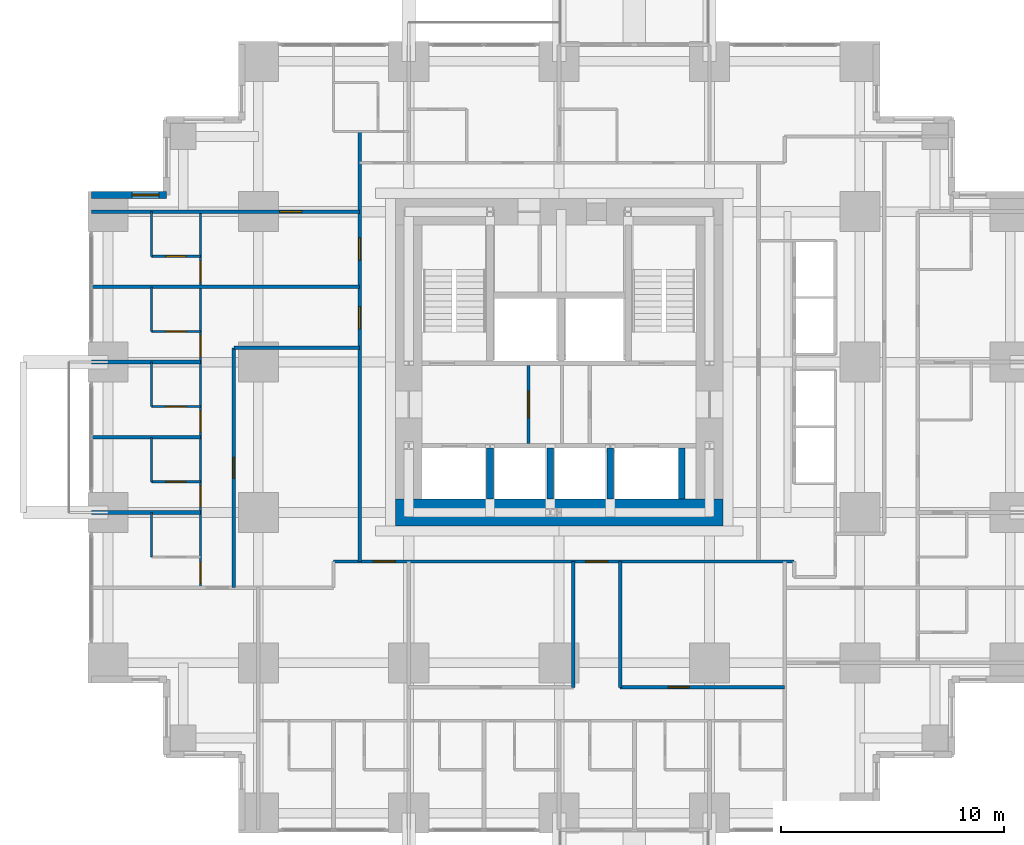
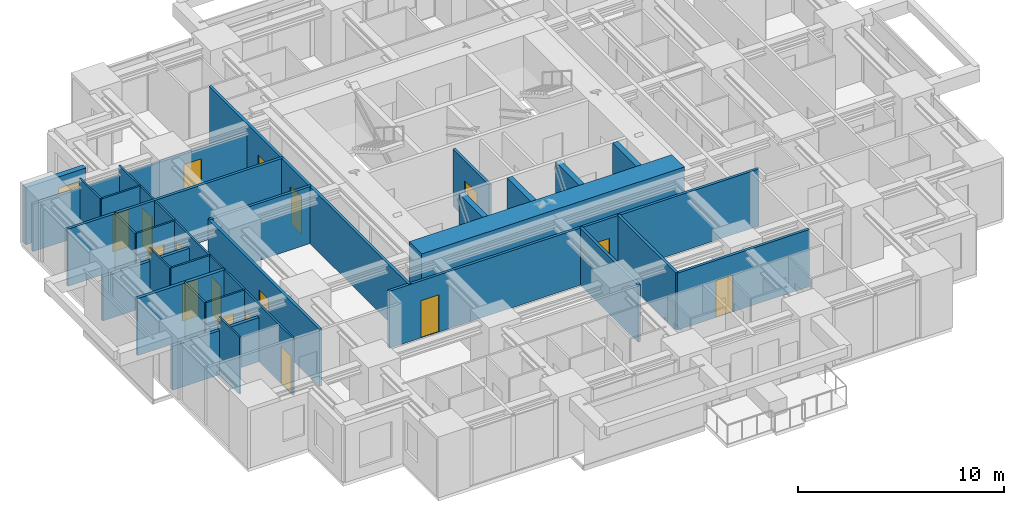
# One storey, part 8 of 13: 29 walls, 17 doors, 1 window, 18 openings.
"""IFC4 building model written with IfcOpenShell, lengths in metres."""

from ifc_helpers import new_model, si_unit, direction, frame, frame_2d, origin, place, context, subcontext, project, spatial, rectangle, extrude, material, layer, layer_set, type_object, element, fill, save


model = new_model("IFC4")

# Units and contexts
model_context = context("Model", 3, precision=1e-05, world=origin(), true_north=direction((0.0, 1.0)))
body_context = subcontext(model_context, "Body", "Model", "MODEL_VIEW")
ifc_project = project(units=[si_unit("LENGTHUNIT", "METRE"), si_unit("AREAUNIT", "SQUARE_METRE"), si_unit("VOLUMEUNIT", "CUBIC_METRE"), si_unit("PLANEANGLEUNIT", "RADIAN"), si_unit("MASSUNIT", "GRAM", prefix="KILO")], contexts=[model_context])

# Site, building, storey
site_placement = place(None, origin())
site = spatial("IfcSite", under=ifc_project, at=site_placement, CompositionType="ELEMENT")
building_placement = place(site_placement, origin())
building = spatial("IfcBuilding", under=site, at=building_placement, Name="Nyansa Garden Tower", CompositionType="ELEMENT")
storey_placement = place(building_placement, frame((0.0, 0.0, 105.300048828125)))
storey = spatial("IfcBuildingStorey", under=building, at=storey_placement, Name="L28", CompositionType="ELEMENT", Elevation=105.300048828125)

# Walls
ifc_material_1 = material(Name="Dense blockwork, plastered both sides, 55 dB", Category="masonry")
ifc_layer_1 = layer(ifc_material_1, 0.175048828125)
ifc_layer_set_1 = layer_set([ifc_layer_1], Name="Acoustic party wall PW175")
wall_type_1 = type_object("IfcWallType", Name="Acoustic party wall PW175", PredefinedType="PARTITIONING", material=ifc_layer_set_1)
wall_1_placement = place(storey_placement, frame((-0.73388671875, 13.5, 0.0), z_axis=(0.0, 0.0, 1.0), x_axis=(1.0, 0.0, 0.0)))
element("IfcWall", 1, at=wall_1_placement, inside=storey, type_object=wall_type_1, Name="Party wall", PredefinedType="PARTITIONING", context=body_context, shape_type="SweptSolid", body=[
    extrude(rectangle(XDim=4.8837890625, YDim=0.175048828125, at=frame_2d((2.44189453125, 0.0))), origin(), (0.0, 0.0, 1.0), 2.60986328125),
])
wall_2_placement = place(storey_placement, frame((-0.73388671875, 16.875, 0.0), z_axis=(0.0, 0.0, 1.0), x_axis=(1.0, 0.0, 0.0)))
element("IfcWall", 2, at=wall_2_placement, inside=storey, type_object=wall_type_1, Name="Party wall", PredefinedType="PARTITIONING", context=body_context, shape_type="SweptSolid", body=[
    extrude(rectangle(XDim=4.8837890625, YDim=0.175048828125, at=frame_2d((2.44189453125, 0.0))), origin(), (0.0, 0.0, 1.0), 3.375),
])
wall_3_placement = place(storey_placement, frame((-0.73388671875, 20.25, 0.0), z_axis=(0.0, 0.0, 1.0), x_axis=(1.0, 0.0, 0.0)))
element("IfcWall", 3, at=wall_3_placement, inside=storey, type_object=wall_type_1, Name="Party wall", PredefinedType="PARTITIONING", context=body_context, shape_type="SweptSolid", body=[
    extrude(rectangle(XDim=4.8837890625, YDim=0.175048828125, at=frame_2d((2.44189453125, 0.0))), origin(), (0.0, 0.0, 1.0), 2.60986328125),
])
ifc_material_2 = material(Name="Concrete C70/85", Category="concrete")
ifc_layer_2 = layer(ifc_material_2, 0.300048828125)
ifc_layer_set_2 = layer_set([ifc_layer_2], Name="Core inner wall CI300")
wall_type_2 = type_object("IfcWallType", Name="Core inner wall CI300", PredefinedType="SHEAR", material=ifc_layer_set_2)
for number, where, z_axis, x_axis, name in (
    (4, (17.14990234375, 14.10009765625, 0.0), (0.0, 0.0, 1.0), (0.0, 1.0, 0.0), "Core inner wall L28"),
    (5, (19.85009765625, 14.10009765625, 0.0), (0.0, 0.0, 1.0), (0.0, 1.0, 0.0), "Core inner wall L28"),
    (6, (22.550048828125, 14.10009765625, 0.0), (0.0, 0.0, 1.0), (0.0, 1.0, 0.0), "Core inner wall L28"),
    (7, (25.75, 14.10009765625, 0.0), (0.0, 0.0, 1.0), (0.0, 1.0, 0.0), "Core inner wall L28"),
):
    element("IfcWall", number, at=place(storey_placement, frame(where, z_axis=z_axis, x_axis=x_axis)), inside=storey, type_object=wall_type_2, Name=name, PredefinedType="SHEAR", context=body_context, shape_type="SweptSolid", body=[
        extrude(rectangle(XDim=2.2998046875, YDim=0.300048828125, at=frame_2d((1.14990234375, 0.0))), origin(), (0.0, 0.0, 1.0), 3.599853515625),
    ])
ifc_material_3 = material(Name="Concrete C80/95", Category="concrete")
ifc_layer_3 = layer(ifc_material_3, 1.199951171875)
ifc_layer_set_3 = layer_set([ifc_layer_3], Name="Core wall CW1200")
wall_type_3 = type_object("IfcWallType", Name="Core wall CW1200", PredefinedType="SHEAR", material=ifc_layer_set_3)
wall_4_placement = place(storey_placement, frame((12.89990234375, 13.5, 0.0), z_axis=(0.0, 0.0, 1.0), x_axis=(1.0, 0.0, 0.0)))
element("IfcWall", 8, at=wall_4_placement, inside=storey, type_object=wall_type_3, Name="Core wall S L28", PredefinedType="SHEAR", context=body_context, shape_type="SweptSolid", body=[
    extrude(rectangle(XDim=14.7001953125, YDim=1.199951171875, at=frame_2d((7.35009765625, 0.0))), origin(), (0.0, 0.0, 1.0), 3.599853515625),
])

# Wall, opening, door
ifc_material_4 = material(Name="Blockwork, plastered both sides", Category="masonry")
ifc_layer_4 = layer(ifc_material_4, 0.14990234375)
ifc_layer_set_4 = layer_set([ifc_layer_4], Name="Partition PW150")
wall_type_4 = type_object("IfcWallType", Name="Partition PW150", PredefinedType="PARTITIONING", material=ifc_layer_set_4)
wall_5_placement = place(storey_placement, frame((18.875, 16.60009765625, 0.0), z_axis=(0.0, 0.0, 1.0), x_axis=(0.0, 1.0, 0.0)))
wall_5 = element("IfcWall", 9, at=wall_5_placement, inside=storey, type_object=wall_type_4, Name="Partition", PredefinedType="PARTITIONING", context=body_context, shape_type="SweptSolid", body=[
    extrude(rectangle(XDim=3.5, YDim=0.14990234375, at=frame_2d((1.75, 0.0))), origin(), (0.0, 0.0, 1.0), 3.375),
])
opening_1_placement = place(wall_5_placement, frame((1.14990234375, 0.0, 0.0)))
opening_1 = element("IfcOpeningElement", 10, at=opening_1_placement, cuts=wall_5, Name="Opening D06", PredefinedType="OPENING", context=body_context, shape_type="SweptSolid", body=[
    extrude(rectangle(XDim=1.199951171875, YDim=2.199951171875, at=frame_2d((0.60009765625, 1.10009765625))), frame((0.0, 0.0849609375, 0.0), z_axis=(0.0, -1.0, 0.0), x_axis=(1.0, 0.0, 0.0)), (0.0, 0.0, 1.0), 0.169921875),
])
ifc_material_5 = material(Name="Steel door, 120 minute fire resisting", Category="steel")
door_type_1 = type_object("IfcDoorType", Name="Lobby door D06 1200x2200", OperationType="DOUBLE_DOOR_SINGLE_SWING", PredefinedType="DOOR", material=ifc_material_5)
door_1_placement = place(opening_1_placement, origin())
door_1 = element("IfcDoor", 11, at=door_1_placement, inside=storey, type_object=door_type_1, Name="Passenger lift lobby door", OperationType="DOUBLE_DOOR_SINGLE_SWING", OverallHeight=2.199951171875, OverallWidth=1.199951171875, PredefinedType="DOOR", context=body_context, shape_type="SweptSolid", body=[
    extrude(rectangle(XDim=1.199951171875, YDim=2.199951171875, at=frame_2d((0.60009765625, 1.10009765625))), frame((0.0, 0.02490234375, 0.0), z_axis=(0.0, -1.0, 0.0), x_axis=(1.0, 0.0, 0.0)), (0.0, 0.0, 1.0), 0.050048828125),
])
fill(opening_1, door_1)

# Wall
wall_6_placement = place(storey_placement, frame((-0.73388671875, 23.625, 0.0), z_axis=(0.0, 0.0, 1.0), x_axis=(1.0, 0.0, 0.0)))
element("IfcWall", 12, at=wall_6_placement, inside=storey, type_object=wall_type_4, Name="Partition", PredefinedType="PARTITIONING", context=body_context, shape_type="SweptSolid", body=[
    extrude(rectangle(XDim=12.033935546875, YDim=0.14990234375, at=frame_2d((6.01708984375, 0.0))), origin(), (0.0, 0.0, 1.0), 3.375),
])

# Wall, opening, door
wall_7_placement = place(storey_placement, frame((-0.73388671875, 27.0, 0.0), z_axis=(0.0, 0.0, 1.0), x_axis=(1.0, 0.0, 0.0)))
wall_7 = element("IfcWall", 13, at=wall_7_placement, inside=storey, type_object=wall_type_4, Name="Partition", PredefinedType="PARTITIONING", context=body_context, shape_type="SweptSolid", body=[
    extrude(rectangle(XDim=12.033935546875, YDim=0.14990234375, at=frame_2d((6.01708984375, 0.0))), origin(), (0.0, 0.0, 1.0), 2.805908203125),
])
opening_2_placement = place(wall_7_placement, frame((8.43408203125, 0.0, 0.0)))
opening_2 = element("IfcOpeningElement", 14, at=opening_2_placement, cuts=wall_7, Name="Opening D03", PredefinedType="OPENING", context=body_context, shape_type="SweptSolid", body=[
    extrude(rectangle(XDim=1.0, YDim=2.199951171875, at=frame_2d((0.5, 1.10009765625))), frame((0.0, 0.0849609375, 0.0), z_axis=(0.0, -1.0, 0.0), x_axis=(1.0, 0.0, 0.0)), (0.0, 0.0, 1.0), 0.169921875),
])
ifc_material_6 = material(Name="Timber flush door, 60 minute fire resisting", Category="wood")
door_type_2 = type_object("IfcDoorType", Name="Cluster entrance door D03 1000x2200", OperationType="SINGLE_SWING_LEFT", PredefinedType="DOOR", material=ifc_material_6)
door_2_placement = place(opening_2_placement, origin())
door_2 = element("IfcDoor", 15, at=door_2_placement, inside=storey, type_object=door_type_2, Name="Door L28-056", OperationType="SINGLE_SWING_LEFT", OverallHeight=2.199951171875, OverallWidth=1.0, PredefinedType="DOOR", context=body_context, shape_type="SweptSolid", body=[
    extrude(rectangle(XDim=1.0, YDim=2.199951171875, at=frame_2d((0.5, 1.10009765625))), frame((0.0, 0.02490234375, 0.0), z_axis=(0.0, -1.0, 0.0), x_axis=(1.0, 0.0, 0.0)), (0.0, 0.0, 1.0), 0.050048828125),
])
fill(opening_2, door_2)

wall_8_placement = place(storey_placement, frame((5.64990234375, 10.125, 0.0), z_axis=(0.0, 0.0, 1.0), x_axis=(0.0, 1.0, 0.0)))
wall_8 = element("IfcWall", 16, at=wall_8_placement, inside=storey, type_object=wall_type_4, Name="Partition", PredefinedType="PARTITIONING", context=body_context, shape_type="SweptSolid", body=[
    extrude(rectangle(XDim=10.762451171875, YDim=0.14990234375, at=frame_2d((5.38134765625, 0.0))), origin(), (0.0, 0.0, 1.0), 3.375),
])
opening_3_placement = place(wall_8_placement, frame((4.89990234375, 0.0, 0.0)))
opening_3 = element("IfcOpeningElement", 17, at=opening_3_placement, cuts=wall_8, Name="Opening D01", PredefinedType="OPENING", context=body_context, shape_type="SweptSolid", body=[
    extrude(rectangle(XDim=0.949951171875, YDim=2.199951171875, at=frame_2d((0.47509765625, 1.10009765625))), frame((0.0, 0.0849609375, 0.0), z_axis=(0.0, -1.0, 0.0), x_axis=(1.0, 0.0, 0.0)), (0.0, 0.0, 1.0), 0.169921875),
])
ifc_material_7 = material(Name="Timber flush door, 30 minute fire resisting", Category="wood")
door_type_3 = type_object("IfcDoorType", Name="Bedroom door D01 950x2200", OperationType="SINGLE_SWING_LEFT", PredefinedType="DOOR", material=ifc_material_7)
door_3_placement = place(opening_3_placement, origin())
door_3 = element("IfcDoor", 18, at=door_3_placement, inside=storey, type_object=door_type_3, Name="Door L28-069", OperationType="SINGLE_SWING_LEFT", OverallHeight=2.199951171875, OverallWidth=0.949951171875, PredefinedType="DOOR", context=body_context, shape_type="SweptSolid", body=[
    extrude(rectangle(XDim=0.949951171875, YDim=2.199951171875, at=frame_2d((0.47509765625, 1.10009765625))), frame((0.0, 0.02490234375, 0.0), z_axis=(0.0, -1.0, 0.0), x_axis=(1.0, 0.0, 0.0)), (0.0, 0.0, 1.0), 0.050048828125),
])
fill(opening_3, door_3)

# Wall
wall_9_placement = place(storey_placement, frame((5.64990234375, 20.886962890625, 0.0), z_axis=(0.0, 0.0, 1.0), x_axis=(1.0, 0.0, 0.0)))
element("IfcWall", 19, at=wall_9_placement, inside=storey, type_object=wall_type_4, Name="Partition", PredefinedType="PARTITIONING", context=body_context, shape_type="SweptSolid", body=[
    extrude(rectangle(XDim=5.650146484375, YDim=0.14990234375, at=frame_2d((2.8251953125, 0.0))), origin(), (0.0, 0.0, 1.0), 3.375),
])

# Wall, openings, doors
wall_10_placement = place(storey_placement, frame((10.125, 11.300048828125, 0.0), z_axis=(0.0, 0.0, 1.0), x_axis=(1.0, 0.0, 0.0)))
wall_10 = element("IfcWall", 20, at=wall_10_placement, inside=storey, type_object=wall_type_4, Name="Partition", PredefinedType="PARTITIONING", context=body_context, shape_type="SweptSolid", body=[
    extrude(rectangle(XDim=20.675048828125, YDim=0.14990234375, at=frame_2d((10.33740234375, 0.0))), origin(), (0.0, 0.0, 1.0), 3.375),
])
opening_4_placement = place(wall_10_placement, frame((1.77490234375, 0.0, 0.0)))
opening_4 = element("IfcOpeningElement", 21, at=opening_4_placement, cuts=wall_10, Name="Opening D03", PredefinedType="OPENING", context=body_context, shape_type="SweptSolid", body=[
    extrude(rectangle(XDim=1.0, YDim=2.199951171875, at=frame_2d((0.5, 1.10009765625))), frame((0.0, 0.0849609375, 0.0), z_axis=(0.0, -1.0, 0.0), x_axis=(1.0, 0.0, 0.0)), (0.0, 0.0, 1.0), 0.169921875),
])
opening_5_placement = place(wall_10_placement, frame((11.3125, 0.0, 0.0)))
opening_5 = element("IfcOpeningElement", 22, at=opening_5_placement, cuts=wall_10, Name="Opening D03", PredefinedType="OPENING", context=body_context, shape_type="SweptSolid", body=[
    extrude(rectangle(XDim=1.0, YDim=2.199951171875, at=frame_2d((0.5, 1.10009765625))), frame((0.0, 0.0849609375, 0.0), z_axis=(0.0, -1.0, 0.0), x_axis=(1.0, 0.0, 0.0)), (0.0, 0.0, 1.0), 0.169921875),
])
door_4_placement = place(opening_4_placement, origin())
door_4 = element("IfcDoor", 23, at=door_4_placement, inside=storey, type_object=door_type_2, Name="Door L28-022", OperationType="SINGLE_SWING_LEFT", OverallHeight=2.199951171875, OverallWidth=1.0, PredefinedType="DOOR", context=body_context, shape_type="SweptSolid", body=[
    extrude(rectangle(XDim=1.0, YDim=2.199951171875, at=frame_2d((0.5, 1.10009765625))), frame((0.0, 0.02490234375, 0.0), z_axis=(0.0, -1.0, 0.0), x_axis=(1.0, 0.0, 0.0)), (0.0, 0.0, 1.0), 0.050048828125),
])
fill(opening_4, door_4)
door_5_placement = place(opening_5_placement, origin())
door_5 = element("IfcDoor", 24, at=door_5_placement, inside=storey, type_object=door_type_2, Name="Door L28-033", OperationType="SINGLE_SWING_LEFT", OverallHeight=2.199951171875, OverallWidth=1.0, PredefinedType="DOOR", context=body_context, shape_type="SweptSolid", body=[
    extrude(rectangle(XDim=1.0, YDim=2.199951171875, at=frame_2d((0.5, 1.10009765625))), frame((0.0, 0.02490234375, 0.0), z_axis=(0.0, -1.0, 0.0), x_axis=(1.0, 0.0, 0.0)), (0.0, 0.0, 1.0), 0.050048828125),
])
fill(opening_5, door_5)

wall_11_placement = place(storey_placement, frame((11.300048828125, 11.300048828125, 0.0), z_axis=(0.0, 0.0, 1.0), x_axis=(0.0, 1.0, 0.0)))
wall_11 = element("IfcWall", 25, at=wall_11_placement, inside=storey, type_object=wall_type_4, Name="Partition", PredefinedType="PARTITIONING", context=body_context, shape_type="SweptSolid", body=[
    extrude(rectangle(XDim=19.300048828125, YDim=0.14990234375, at=frame_2d((9.64990234375, 0.0))), origin(), (0.0, 0.0, 1.0), 3.375),
])
opening_6_placement = place(wall_11_placement, frame((13.52490234375, 0.0, 0.0)))
opening_6 = element("IfcOpeningElement", 26, at=opening_6_placement, cuts=wall_11, Name="Opening D03", PredefinedType="OPENING", context=body_context, shape_type="SweptSolid", body=[
    extrude(rectangle(XDim=1.0, YDim=2.199951171875, at=frame_2d((0.5, 1.10009765625))), frame((0.0, 0.0849609375, 0.0), z_axis=(0.0, -1.0, 0.0), x_axis=(1.0, 0.0, 0.0)), (0.0, 0.0, 1.0), 0.169921875),
])
opening_7_placement = place(wall_11_placement, frame((10.4375, 0.0, 0.0)))
opening_7 = element("IfcOpeningElement", 27, at=opening_7_placement, cuts=wall_11, Name="Opening D03", PredefinedType="OPENING", context=body_context, shape_type="SweptSolid", body=[
    extrude(rectangle(XDim=1.0, YDim=2.199951171875, at=frame_2d((0.5, 1.10009765625))), frame((0.0, 0.0849609375, 0.0), z_axis=(0.0, -1.0, 0.0), x_axis=(1.0, 0.0, 0.0)), (0.0, 0.0, 1.0), 0.169921875),
])
door_6_placement = place(opening_6_placement, origin())
door_6 = element("IfcDoor", 28, at=door_6_placement, inside=storey, type_object=door_type_2, Name="Door L28-059", OperationType="SINGLE_SWING_LEFT", OverallHeight=2.199951171875, OverallWidth=1.0, PredefinedType="DOOR", context=body_context, shape_type="SweptSolid", body=[
    extrude(rectangle(XDim=1.0, YDim=2.199951171875, at=frame_2d((0.5, 1.10009765625))), frame((0.0, 0.02490234375, 0.0), z_axis=(0.0, -1.0, 0.0), x_axis=(1.0, 0.0, 0.0)), (0.0, 0.0, 1.0), 0.050048828125),
])
fill(opening_6, door_6)
door_7_placement = place(opening_7_placement, origin())
door_7 = element("IfcDoor", 29, at=door_7_placement, inside=storey, type_object=door_type_2, Name="Door L28-068", OperationType="SINGLE_SWING_LEFT", OverallHeight=2.199951171875, OverallWidth=1.0, PredefinedType="DOOR", context=body_context, shape_type="SweptSolid", body=[
    extrude(rectangle(XDim=1.0, YDim=2.199951171875, at=frame_2d((0.5, 1.10009765625))), frame((0.0, 0.02490234375, 0.0), z_axis=(0.0, -1.0, 0.0), x_axis=(1.0, 0.0, 0.0)), (0.0, 0.0, 1.0), 0.050048828125),
])
fill(opening_7, door_7)

# Wall
wall_12_placement = place(storey_placement, frame((20.886962890625, 5.64990234375, 0.0), z_axis=(0.0, 0.0, 1.0), x_axis=(0.0, 1.0, 0.0)))
element("IfcWall", 30, at=wall_12_placement, inside=storey, type_object=wall_type_4, Name="Partition", PredefinedType="PARTITIONING", context=body_context, shape_type="SweptSolid", body=[
    extrude(rectangle(XDim=5.650146484375, YDim=0.14990234375, at=frame_2d((2.8251953125, 0.0))), origin(), (0.0, 0.0, 1.0), 3.375),
])

# Wall, opening, door
wall_13_placement = place(storey_placement, frame((22.987548828125, 5.64990234375, 0.0), z_axis=(0.0, 0.0, 1.0), x_axis=(1.0, 0.0, 0.0)))
wall_13 = element("IfcWall", 31, at=wall_13_placement, inside=storey, type_object=wall_type_4, Name="Partition", PredefinedType="PARTITIONING", context=body_context, shape_type="SweptSolid", body=[
    extrude(rectangle(XDim=7.387451171875, YDim=0.14990234375, at=frame_2d((3.69384765625, 0.0))), origin(), (0.0, 0.0, 1.0), 3.375),
])
opening_8_placement = place(wall_13_placement, frame((2.14990234375, 0.0, 0.0)))
opening_8 = element("IfcOpeningElement", 32, at=opening_8_placement, cuts=wall_13, Name="Opening D01", PredefinedType="OPENING", context=body_context, shape_type="SweptSolid", body=[
    extrude(rectangle(XDim=0.949951171875, YDim=2.199951171875, at=frame_2d((0.47509765625, 1.10009765625))), frame((0.0, 0.0849609375, 0.0), z_axis=(0.0, -1.0, 0.0), x_axis=(1.0, 0.0, 0.0)), (0.0, 0.0, 1.0), 0.169921875),
])
door_8_placement = place(opening_8_placement, origin())
door_8 = element("IfcDoor", 33, at=door_8_placement, inside=storey, type_object=door_type_3, Name="Door L28-034", OperationType="SINGLE_SWING_LEFT", OverallHeight=2.199951171875, OverallWidth=0.949951171875, PredefinedType="DOOR", context=body_context, shape_type="SweptSolid", body=[
    extrude(rectangle(XDim=0.949951171875, YDim=2.199951171875, at=frame_2d((0.47509765625, 1.10009765625))), frame((0.0, 0.02490234375, 0.0), z_axis=(0.0, -1.0, 0.0), x_axis=(1.0, 0.0, 0.0)), (0.0, 0.0, 1.0), 0.050048828125),
])
fill(opening_8, door_8)

# Wall
wall_14_placement = place(storey_placement, frame((22.988037109375, 5.64990234375, 0.0), z_axis=(0.0, 0.0, 1.0), x_axis=(0.0, 1.0, 0.0)))
element("IfcWall", 34, at=wall_14_placement, inside=storey, type_object=wall_type_4, Name="Partition", PredefinedType="PARTITIONING", context=body_context, shape_type="SweptSolid", body=[
    extrude(rectangle(XDim=5.650146484375, YDim=0.14990234375, at=frame_2d((2.8251953125, 0.0))), origin(), (0.0, 0.0, 1.0), 3.375),
])

# Wall, opening, window
ifc_material_8 = material(Name="Turquoise glazed tile on concrete blockwork", Category="masonry")
ifc_layer_5 = layer(ifc_material_8, 0.300048828125)
ifc_layer_set_5 = layer_set([ifc_layer_5], Name="Tiled corner wall TW300")
wall_type_5 = type_object("IfcWallType", Name="Tiled corner wall TW300", PredefinedType="SOLIDWALL", material=ifc_layer_set_5)
wall_15_placement = place(storey_placement, frame((2.625, 27.75, 0.0), z_axis=(0.0, 0.0, 1.0), x_axis=(-1.0, 0.0, 0.0)))
wall_15 = element("IfcWall", 35, at=wall_15_placement, inside=storey, type_object=wall_type_5, Name="Tiled corner wall L28", PredefinedType="SOLIDWALL", context=body_context, shape_type="SweptSolid", body=[
    extrude(rectangle(XDim=3.375, YDim=0.300048828125, at=frame_2d((1.6875, 0.0))), origin(), (0.0, 0.0, 1.0), 3.375),
])
opening_9_placement = place(wall_15_placement, frame((0.342529296875, 0.0, 0.89990234375)))
opening_9 = element("IfcOpeningElement", 36, at=opening_9_placement, cuts=wall_15, Name="Opening W4", PredefinedType="OPENING", context=body_context, shape_type="SweptSolid", body=[
    extrude(rectangle(XDim=1.199951171875, YDim=1.800048828125, at=frame_2d((0.60009765625, 0.89990234375))), frame((0.0, 0.159912109375, 0.0), z_axis=(0.0, -1.0, 0.0), x_axis=(1.0, 0.0, 0.0)), (0.0, 0.0, 1.0), 0.320068359375),
])
ifc_material_9 = material(Name="Black aluminium frame, dark tinted double glazing", Category="aluminium")
window_type = type_object("IfcWindowType", Name="Window W4 1200x1800", PartitioningType="SINGLE_PANEL", PredefinedType="WINDOW", material=ifc_material_9)
window_placement = place(opening_9_placement, origin())
window = element("IfcWindow", 37, at=window_placement, inside=storey, type_object=window_type, Name="Corner window L28", OverallHeight=1.800048828125, OverallWidth=1.199951171875, PartitioningType="SINGLE_PANEL", PredefinedType="WINDOW", context=body_context, shape_type="SweptSolid", body=[
    extrude(rectangle(XDim=1.199951171875, YDim=1.800048828125, at=frame_2d((0.60009765625, 0.89990234375))), frame((0.0, 0.030029296875, 0.0), z_axis=(0.0, -1.0, 0.0), x_axis=(1.0, 0.0, 0.0)), (0.0, 0.0, 1.0), 0.06005859375),
])
fill(opening_9, window)

# Walls
ifc_material_10 = material(Name="Moisture resistant board on steel studs, tiled", Category="steel")
ifc_layer_6 = layer(ifc_material_10, 0.10009765625)
ifc_layer_set_6 = layer_set([ifc_layer_6], Name="Wet wall PW100")
wall_type_6 = type_object("IfcWallType", Name="Wet wall PW100", PredefinedType="PARTITIONING", material=ifc_layer_set_6)
for number, where, z_axis, x_axis, name in (
    (38, (1.949951171875, 11.5, 0.0), (0.0, 0.0, 1.0), (0.0, 1.0, 0.0), "Wet wall"),
    (39, (1.949951171875, 14.875, 0.0), (0.0, 0.0, 1.0), (0.0, 1.0, 0.0), "Wet wall"),
):
    element("IfcWall", number, at=place(storey_placement, frame(where, z_axis=z_axis, x_axis=x_axis)), inside=storey, type_object=wall_type_6, Name=name, PredefinedType="PARTITIONING", context=body_context, shape_type="SweptSolid", body=[
        extrude(rectangle(XDim=2.0, YDim=0.10009765625, at=frame_2d((1.0, 0.0))), origin(), (0.0, 0.0, 1.0), 3.375),
    ])

# Wall, opening, door
wall_16_placement = place(storey_placement, frame((1.949951171875, 14.875, 0.0), z_axis=(0.0, 0.0, 1.0), x_axis=(1.0, 0.0, 0.0)))
wall_16 = element("IfcWall", 40, at=wall_16_placement, inside=storey, type_object=wall_type_6, Name="Wet wall", PredefinedType="PARTITIONING", context=body_context, shape_type="SweptSolid", body=[
    extrude(rectangle(XDim=2.199951171875, YDim=0.10009765625, at=frame_2d((1.10009765625, 0.0))), origin(), (0.0, 0.0, 1.0), 3.375),
])
opening_10_placement = place(wall_16_placement, frame((0.64990234375, 0.0, 0.0)))
opening_10 = element("IfcOpeningElement", 41, at=opening_10_placement, cuts=wall_16, Name="Opening D02", PredefinedType="OPENING", context=body_context, shape_type="SweptSolid", body=[
    extrude(rectangle(XDim=0.89990234375, YDim=2.199951171875, at=frame_2d((0.449951171875, 1.10009765625))), frame((0.0, 0.06005859375, 0.0), z_axis=(0.0, -1.0, 0.0), x_axis=(1.0, 0.0, 0.0)), (0.0, 0.0, 1.0), 0.1201171875),
])
ifc_material_11 = material(Name="Timber flush door", Category="wood")
door_type_4 = type_object("IfcDoorType", Name="En-suite door D02 900x2200", OperationType="SINGLE_SWING_RIGHT", PredefinedType="DOOR", material=ifc_material_11)
door_9_placement = place(opening_10_placement, origin())
door_9 = element("IfcDoor", 42, at=door_9_placement, inside=storey, type_object=door_type_4, Name="Door L28-063", OperationType="SINGLE_SWING_RIGHT", OverallHeight=2.199951171875, OverallWidth=0.89990234375, PredefinedType="DOOR", context=body_context, shape_type="SweptSolid", body=[
    extrude(rectangle(XDim=0.89990234375, YDim=2.199951171875, at=frame_2d((0.449951171875, 1.10009765625))), frame((0.0, 0.02490234375, 0.0), z_axis=(0.0, -1.0, 0.0), x_axis=(1.0, 0.0, 0.0)), (0.0, 0.0, 1.0), 0.050048828125),
])
fill(opening_10, door_9)

# Wall
wall_17_placement = place(storey_placement, frame((1.949951171875, 18.25, 0.0), z_axis=(0.0, 0.0, 1.0), x_axis=(0.0, 1.0, 0.0)))
element("IfcWall", 43, at=wall_17_placement, inside=storey, type_object=wall_type_6, Name="Wet wall", PredefinedType="PARTITIONING", context=body_context, shape_type="SweptSolid", body=[
    extrude(rectangle(XDim=2.0, YDim=0.10009765625, at=frame_2d((1.0, 0.0))), origin(), (0.0, 0.0, 1.0), 3.375),
])

# Wall, opening, door
wall_18_placement = place(storey_placement, frame((1.949951171875, 18.25, 0.0), z_axis=(0.0, 0.0, 1.0), x_axis=(1.0, 0.0, 0.0)))
wall_18 = element("IfcWall", 44, at=wall_18_placement, inside=storey, type_object=wall_type_6, Name="Wet wall", PredefinedType="PARTITIONING", context=body_context, shape_type="SweptSolid", body=[
    extrude(rectangle(XDim=2.199951171875, YDim=0.10009765625, at=frame_2d((1.10009765625, 0.0))), origin(), (0.0, 0.0, 1.0), 3.375),
])
opening_11_placement = place(wall_18_placement, frame((0.64990234375, 0.0, 0.0)))
opening_11 = element("IfcOpeningElement", 45, at=opening_11_placement, cuts=wall_18, Name="Opening D02", PredefinedType="OPENING", context=body_context, shape_type="SweptSolid", body=[
    extrude(rectangle(XDim=0.89990234375, YDim=2.199951171875, at=frame_2d((0.449951171875, 1.10009765625))), frame((0.0, 0.06005859375, 0.0), z_axis=(0.0, -1.0, 0.0), x_axis=(1.0, 0.0, 0.0)), (0.0, 0.0, 1.0), 0.1201171875),
])
door_10_placement = place(opening_11_placement, origin())
door_10 = element("IfcDoor", 46, at=door_10_placement, inside=storey, type_object=door_type_4, Name="Door L28-065", OperationType="SINGLE_SWING_RIGHT", OverallHeight=2.199951171875, OverallWidth=0.89990234375, PredefinedType="DOOR", context=body_context, shape_type="SweptSolid", body=[
    extrude(rectangle(XDim=0.89990234375, YDim=2.199951171875, at=frame_2d((0.449951171875, 1.10009765625))), frame((0.0, 0.02490234375, 0.0), z_axis=(0.0, -1.0, 0.0), x_axis=(1.0, 0.0, 0.0)), (0.0, 0.0, 1.0), 0.050048828125),
])
fill(opening_11, door_10)

# Wall
wall_19_placement = place(storey_placement, frame((1.949951171875, 21.625, 0.0), z_axis=(0.0, 0.0, 1.0), x_axis=(0.0, 1.0, 0.0)))
element("IfcWall", 47, at=wall_19_placement, inside=storey, type_object=wall_type_6, Name="Wet wall", PredefinedType="PARTITIONING", context=body_context, shape_type="SweptSolid", body=[
    extrude(rectangle(XDim=2.0, YDim=0.10009765625, at=frame_2d((1.0, 0.0))), origin(), (0.0, 0.0, 1.0), 3.375),
])

# Wall, opening, door
wall_20_placement = place(storey_placement, frame((1.949951171875, 21.625, 0.0), z_axis=(0.0, 0.0, 1.0), x_axis=(1.0, 0.0, 0.0)))
wall_20 = element("IfcWall", 48, at=wall_20_placement, inside=storey, type_object=wall_type_6, Name="Wet wall", PredefinedType="PARTITIONING", context=body_context, shape_type="SweptSolid", body=[
    extrude(rectangle(XDim=2.199951171875, YDim=0.10009765625, at=frame_2d((1.10009765625, 0.0))), origin(), (0.0, 0.0, 1.0), 3.375),
])
opening_12_placement = place(wall_20_placement, frame((0.64990234375, 0.0, 0.0)))
opening_12 = element("IfcOpeningElement", 49, at=opening_12_placement, cuts=wall_20, Name="Opening D02", PredefinedType="OPENING", context=body_context, shape_type="SweptSolid", body=[
    extrude(rectangle(XDim=0.89990234375, YDim=2.199951171875, at=frame_2d((0.449951171875, 1.10009765625))), frame((0.0, 0.06005859375, 0.0), z_axis=(0.0, -1.0, 0.0), x_axis=(1.0, 0.0, 0.0)), (0.0, 0.0, 1.0), 0.1201171875),
])
door_11_placement = place(opening_12_placement, origin())
door_11 = element("IfcDoor", 50, at=door_11_placement, inside=storey, type_object=door_type_4, Name="Door L28-067", OperationType="SINGLE_SWING_RIGHT", OverallHeight=2.199951171875, OverallWidth=0.89990234375, PredefinedType="DOOR", context=body_context, shape_type="SweptSolid", body=[
    extrude(rectangle(XDim=0.89990234375, YDim=2.199951171875, at=frame_2d((0.449951171875, 1.10009765625))), frame((0.0, 0.02490234375, 0.0), z_axis=(0.0, -1.0, 0.0), x_axis=(1.0, 0.0, 0.0)), (0.0, 0.0, 1.0), 0.050048828125),
])
fill(opening_12, door_11)

# Wall
wall_21_placement = place(storey_placement, frame((1.949951171875, 25.0, 0.0), z_axis=(0.0, 0.0, 1.0), x_axis=(0.0, 1.0, 0.0)))
element("IfcWall", 51, at=wall_21_placement, inside=storey, type_object=wall_type_6, Name="Wet wall", PredefinedType="PARTITIONING", context=body_context, shape_type="SweptSolid", body=[
    extrude(rectangle(XDim=2.0, YDim=0.10009765625, at=frame_2d((1.0, 0.0))), origin(), (0.0, 0.0, 1.0), 3.375),
])

# Wall, opening, door
wall_22_placement = place(storey_placement, frame((1.949951171875, 25.0, 0.0), z_axis=(0.0, 0.0, 1.0), x_axis=(1.0, 0.0, 0.0)))
wall_22 = element("IfcWall", 52, at=wall_22_placement, inside=storey, type_object=wall_type_6, Name="Wet wall", PredefinedType="PARTITIONING", context=body_context, shape_type="SweptSolid", body=[
    extrude(rectangle(XDim=2.199951171875, YDim=0.10009765625, at=frame_2d((1.10009765625, 0.0))), origin(), (0.0, 0.0, 1.0), 3.375),
])
opening_13_placement = place(wall_22_placement, frame((0.64990234375, 0.0, 0.0)))
opening_13 = element("IfcOpeningElement", 53, at=opening_13_placement, cuts=wall_22, Name="Opening D02", PredefinedType="OPENING", context=body_context, shape_type="SweptSolid", body=[
    extrude(rectangle(XDim=0.89990234375, YDim=2.199951171875, at=frame_2d((0.449951171875, 1.10009765625))), frame((0.0, 0.06005859375, 0.0), z_axis=(0.0, -1.0, 0.0), x_axis=(1.0, 0.0, 0.0)), (0.0, 0.0, 1.0), 0.1201171875),
])
door_12_placement = place(opening_13_placement, origin())
door_12 = element("IfcDoor", 54, at=door_12_placement, inside=storey, type_object=door_type_4, Name="Door L28-058", OperationType="SINGLE_SWING_RIGHT", OverallHeight=2.199951171875, OverallWidth=0.89990234375, PredefinedType="DOOR", context=body_context, shape_type="SweptSolid", body=[
    extrude(rectangle(XDim=0.89990234375, YDim=2.199951171875, at=frame_2d((0.449951171875, 1.10009765625))), frame((0.0, 0.02490234375, 0.0), z_axis=(0.0, -1.0, 0.0), x_axis=(1.0, 0.0, 0.0)), (0.0, 0.0, 1.0), 0.050048828125),
])
fill(opening_13, door_12)

# Wall, openings, doors
wall_23_placement = place(storey_placement, frame((4.14990234375, 10.125, 0.0), z_axis=(0.0, 0.0, 1.0), x_axis=(0.0, 1.0, 0.0)))
wall_23 = element("IfcWall", 55, at=wall_23_placement, inside=storey, type_object=wall_type_6, Name="Wet wall", PredefinedType="PARTITIONING", context=body_context, shape_type="SweptSolid", body=[
    extrude(rectangle(XDim=16.875, YDim=0.10009765625, at=frame_2d((8.4375, 0.0))), origin(), (0.0, 0.0, 1.0), 3.375),
])
opening_14_placement = place(wall_23_placement, frame((13.699951171875, 0.0, 0.0)))
opening_14 = element("IfcOpeningElement", 56, at=opening_14_placement, cuts=wall_23, Name="Opening D01", PredefinedType="OPENING", context=body_context, shape_type="SweptSolid", body=[
    extrude(rectangle(XDim=0.949951171875, YDim=2.199951171875, at=frame_2d((0.47509765625, 1.10009765625))), frame((0.0, 0.06005859375, 0.0), z_axis=(0.0, -1.0, 0.0), x_axis=(1.0, 0.0, 0.0)), (0.0, 0.0, 1.0), 0.1201171875),
])
opening_15_placement = place(wall_23_placement, frame((0.199951171875, 0.0, 0.0)))
opening_15 = element("IfcOpeningElement", 57, at=opening_15_placement, cuts=wall_23, Name="Opening D14", PredefinedType="OPENING", context=body_context, shape_type="SweptSolid", body=[
    extrude(rectangle(XDim=0.949951171875, YDim=2.199951171875, at=frame_2d((0.47509765625, 1.10009765625))), frame((0.0, 0.06005859375, 0.0), z_axis=(0.0, -1.0, 0.0), x_axis=(1.0, 0.0, 0.0)), (0.0, 0.0, 1.0), 0.1201171875),
])
opening_16_placement = place(wall_23_placement, frame((3.625, 0.0, 0.0)))
opening_16 = element("IfcOpeningElement", 58, at=opening_16_placement, cuts=wall_23, Name="Opening D14", PredefinedType="OPENING", context=body_context, shape_type="SweptSolid", body=[
    extrude(rectangle(XDim=0.949951171875, YDim=2.199951171875, at=frame_2d((0.47509765625, 1.10009765625))), frame((0.0, 0.06005859375, 0.0), z_axis=(0.0, -1.0, 0.0), x_axis=(1.0, 0.0, 0.0)), (0.0, 0.0, 1.0), 0.1201171875),
])
opening_17_placement = place(wall_23_placement, frame((7.0, 0.0, 0.0)))
opening_17 = element("IfcOpeningElement", 59, at=opening_17_placement, cuts=wall_23, Name="Opening D14", PredefinedType="OPENING", context=body_context, shape_type="SweptSolid", body=[
    extrude(rectangle(XDim=0.949951171875, YDim=2.199951171875, at=frame_2d((0.47509765625, 1.10009765625))), frame((0.0, 0.06005859375, 0.0), z_axis=(0.0, -1.0, 0.0), x_axis=(1.0, 0.0, 0.0)), (0.0, 0.0, 1.0), 0.1201171875),
])
opening_18_placement = place(wall_23_placement, frame((10.375, 0.0, 0.0)))
opening_18 = element("IfcOpeningElement", 60, at=opening_18_placement, cuts=wall_23, Name="Opening D14", PredefinedType="OPENING", context=body_context, shape_type="SweptSolid", body=[
    extrude(rectangle(XDim=0.949951171875, YDim=2.199951171875, at=frame_2d((0.47509765625, 1.10009765625))), frame((0.0, 0.06005859375, 0.0), z_axis=(0.0, -1.0, 0.0), x_axis=(1.0, 0.0, 0.0)), (0.0, 0.0, 1.0), 0.1201171875),
])
door_13_placement = place(opening_14_placement, origin())
door_13 = element("IfcDoor", 61, at=door_13_placement, inside=storey, type_object=door_type_3, Name="Door L28-057", OperationType="SINGLE_SWING_LEFT", OverallHeight=2.199951171875, OverallWidth=0.949951171875, PredefinedType="DOOR", context=body_context, shape_type="SweptSolid", body=[
    extrude(rectangle(XDim=0.949951171875, YDim=2.199951171875, at=frame_2d((0.47509765625, 1.10009765625))), frame((0.0, 0.02490234375, 0.0), z_axis=(0.0, -1.0, 0.0), x_axis=(1.0, 0.0, 0.0)), (0.0, 0.0, 1.0), 0.050048828125),
])
fill(opening_14, door_13)
ifc_material_12 = material(Name="Timber flush door, 60 minute fire resisting, self-closing", Category="wood")
door_type_5 = type_object("IfcDoorType", Name="Studio entrance door D14 950x2200", OperationType="SINGLE_SWING_LEFT", PredefinedType="DOOR", material=ifc_material_12)
door_14_placement = place(opening_15_placement, origin())
door_14 = element("IfcDoor", 62, at=door_14_placement, inside=storey, type_object=door_type_5, Name="Door L28-060", OperationType="SINGLE_SWING_LEFT", OverallHeight=2.199951171875, OverallWidth=0.949951171875, PredefinedType="DOOR", context=body_context, shape_type="SweptSolid", body=[
    extrude(rectangle(XDim=0.949951171875, YDim=2.199951171875, at=frame_2d((0.47509765625, 1.10009765625))), frame((0.0, 0.02490234375, 0.0), z_axis=(0.0, -1.0, 0.0), x_axis=(1.0, 0.0, 0.0)), (0.0, 0.0, 1.0), 0.050048828125),
])
fill(opening_15, door_14)
door_15_placement = place(opening_16_placement, origin())
door_15 = element("IfcDoor", 63, at=door_15_placement, inside=storey, type_object=door_type_5, Name="Door L28-062", OperationType="SINGLE_SWING_LEFT", OverallHeight=2.199951171875, OverallWidth=0.949951171875, PredefinedType="DOOR", context=body_context, shape_type="SweptSolid", body=[
    extrude(rectangle(XDim=0.949951171875, YDim=2.199951171875, at=frame_2d((0.47509765625, 1.10009765625))), frame((0.0, 0.02490234375, 0.0), z_axis=(0.0, -1.0, 0.0), x_axis=(1.0, 0.0, 0.0)), (0.0, 0.0, 1.0), 0.050048828125),
])
fill(opening_16, door_15)
door_16_placement = place(opening_17_placement, origin())
door_16 = element("IfcDoor", 64, at=door_16_placement, inside=storey, type_object=door_type_5, Name="Door L28-064", OperationType="SINGLE_SWING_LEFT", OverallHeight=2.199951171875, OverallWidth=0.949951171875, PredefinedType="DOOR", context=body_context, shape_type="SweptSolid", body=[
    extrude(rectangle(XDim=0.949951171875, YDim=2.199951171875, at=frame_2d((0.47509765625, 1.10009765625))), frame((0.0, 0.02490234375, 0.0), z_axis=(0.0, -1.0, 0.0), x_axis=(1.0, 0.0, 0.0)), (0.0, 0.0, 1.0), 0.050048828125),
])
fill(opening_17, door_16)
door_17_placement = place(opening_18_placement, origin())
door_17 = element("IfcDoor", 65, at=door_17_placement, inside=storey, type_object=door_type_5, Name="Door L28-066", OperationType="SINGLE_SWING_LEFT", OverallHeight=2.199951171875, OverallWidth=0.949951171875, PredefinedType="DOOR", context=body_context, shape_type="SweptSolid", body=[
    extrude(rectangle(XDim=0.949951171875, YDim=2.199951171875, at=frame_2d((0.47509765625, 1.10009765625))), frame((0.0, 0.02490234375, 0.0), z_axis=(0.0, -1.0, 0.0), x_axis=(1.0, 0.0, 0.0)), (0.0, 0.0, 1.0), 0.050048828125),
])
fill(opening_18, door_17)

save(model, "model.ifc")
